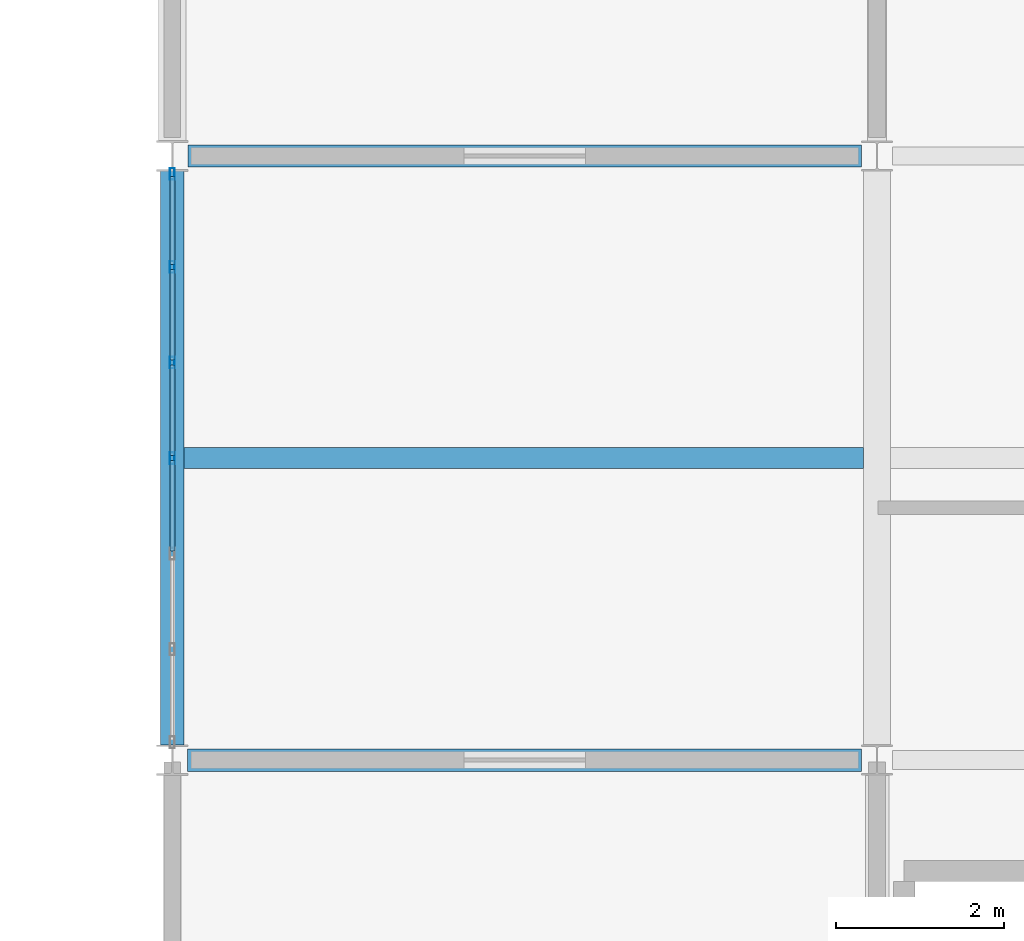
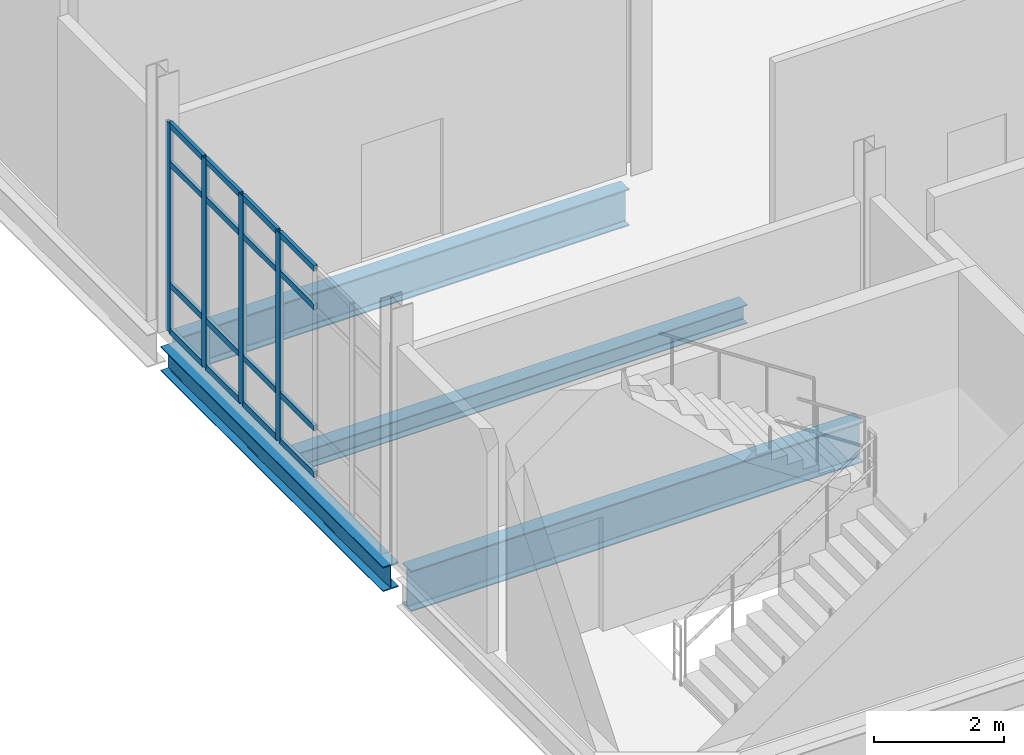
# One storey, part 75 of 153: 20 members, 4 beams, 1 element without a shape of its own.
"""IFC4 building model written with IfcOpenShell, lengths in metres."""

from ifc_helpers import new_model, si_unit, direction, frame, origin, origin_2d, place, context, subcontext, project, spatial, hollow_rectangle, i_section, extrude, material, layer, layer_set, material_profile, profile_set, type_object, element, aggregate, save


model = new_model("IFC4")

# Units and contexts
model_context = context("Model", 3, precision=1e-05, world=origin(), true_north=direction((0.0, 1.0)))
body_context = subcontext(model_context, "Body", "Model", "MODEL_VIEW")
ifc_project = project(units=[si_unit("LENGTHUNIT", "METRE"), si_unit("AREAUNIT", "SQUARE_METRE"), si_unit("VOLUMEUNIT", "CUBIC_METRE"), si_unit("PLANEANGLEUNIT", "RADIAN"), si_unit("MASSUNIT", "GRAM", prefix="KILO")], contexts=[model_context])

# Site, building, storey
site_placement = place(None, origin())
site = spatial("IfcSite", under=ifc_project, at=site_placement, CompositionType="ELEMENT")
building_placement = place(site_placement, origin())
building = spatial("IfcBuilding", under=site, at=building_placement, Name="Calvrana Isthmian Art Gallery", CompositionType="ELEMENT")
storey_placement = place(building_placement, frame((0.0, 0.0, 10.199951171875)))
storey = spatial("IfcBuildingStorey", under=building, at=storey_placement, Name="L02", CompositionType="ELEMENT", Elevation=10.199951171875)

# Beams
ifc_material_1 = material(Name="Steel ASTM A992 Gr 50", Category="steel")
ifc_material_profile_1 = material_profile(ifc_material_1, i_section(OverallWidth=0.279052734375, OverallDepth=0.4619140625, WebThickness=0.0107421875, FlangeThickness=0.017333984375, FilletRadius=0.02001953125, at=origin_2d()), Name="W18X76")
ifc_profile_set_1 = profile_set([ifc_material_profile_1], Name="Steel ASTM A992 Gr 50")
beam_type_1 = type_object("IfcBeamType", Name="BM-G-W18X76", PredefinedType="BEAM", material=ifc_profile_set_1)
beam_1_placement = place(storey_placement, frame((104.39990234375, 84.177978515625, -0.495849609375), z_axis=(0.0, 1.0, 0.0), x_axis=(-1.0, 0.0, 0.0)))
element("IfcBeam", 1, at=beam_1_placement, inside=storey, type_object=beam_type_1, Name="Girder Y L02 14/L-M", PredefinedType="BEAM", context=body_context, shape_type="SweptSolid", body=[
    extrude(i_section(OverallWidth=0.279052734375, OverallDepth=0.4619140625, WebThickness=0.0107421875, FlangeThickness=0.017333984375, FilletRadius=0.02001953125, at=origin_2d()), origin(), (0.0, 0.0, 1.0), 6.840576171875),
])
ifc_material_profile_2 = material_profile(ifc_material_1, i_section(OverallWidth=0.257080078125, OverallDepth=0.693115234375, WebThickness=0.014404296875, FlangeThickness=0.023681640625, FilletRadius=0.02392578125, at=origin_2d()), Name="W27X114")
ifc_profile_set_2 = profile_set([ifc_material_profile_2], Name="Steel ASTM A992 Gr 50")
beam_type_2 = type_object("IfcBeamType", Name="BM-G-W27X114", PredefinedType="BEAM", material=ifc_profile_set_2)
beam_2_placement = place(storey_placement, frame((104.58544921875, 91.199951171875, -0.611572265625), z_axis=(1.0, 0.0, 0.0), x_axis=(0.0, 1.0, 0.0)))
element("IfcBeam", 2, at=beam_2_placement, inside=storey, type_object=beam_type_2, Name="Girder X L02 14-15/M", PredefinedType="BEAM", context=body_context, shape_type="SweptSolid", body=[
    extrude(i_section(OverallWidth=0.257080078125, OverallDepth=0.693115234375, WebThickness=0.014404296875, FlangeThickness=0.023681640625, FilletRadius=0.02392578125, at=origin_2d()), origin(), (0.0, 0.0, 1.0), 8.030517578125),
])
ifc_material_profile_3 = material_profile(ifc_material_1, i_section(OverallWidth=0.26708984375, OverallDepth=0.761962890625, WebThickness=0.014404296875, FlangeThickness=0.021484375, FilletRadius=0.02490234375, at=origin_2d()), Name="W30X116")
ifc_profile_set_3 = profile_set([ifc_material_profile_3], Name="Steel ASTM A992 Gr 50")
beam_type_3 = type_object("IfcBeamType", Name="BM-G-W30X116", PredefinedType="BEAM", material=ifc_profile_set_3)
beam_3_placement = place(storey_placement, frame((104.583984375, 84.0, -0.64599609375), z_axis=(1.0, 0.0, 0.0), x_axis=(0.0, 1.0, 0.0)))
element("IfcBeam", 3, at=beam_3_placement, inside=storey, type_object=beam_type_3, Name="Girder X L02 14-15/L", PredefinedType="BEAM", context=body_context, shape_type="SweptSolid", body=[
    extrude(i_section(OverallWidth=0.26708984375, OverallDepth=0.761962890625, WebThickness=0.014404296875, FlangeThickness=0.021484375, FilletRadius=0.02490234375, at=origin_2d()), origin(), (0.0, 0.0, 1.0), 8.029541015625),
])
ifc_material_profile_4 = material_profile(ifc_material_1, i_section(OverallWidth=0.25390625, OverallDepth=0.35302734375, WebThickness=0.009521484375, FlangeThickness=0.016357421875, FilletRadius=0.01806640625, at=origin_2d()), Name="W14X61")
ifc_profile_set_4 = profile_set([ifc_material_profile_4], Name="Steel ASTM A992 Gr 50")
beam_type_4 = type_object("IfcBeamType", Name="BM-J-W14X61", PredefinedType="JOIST", material=ifc_profile_set_4)
beam_4_placement = place(storey_placement, frame((104.53955078125, 87.60009765625, -0.44140625), z_axis=(1.0, 0.0, 0.0), x_axis=(0.0, 1.0, 0.0)))
element("IfcBeam", 4, at=beam_4_placement, inside=storey, type_object=beam_type_4, Name="Composite joist L02 bay 13-11", PredefinedType="JOIST", context=body_context, shape_type="SweptSolid", body=[
    extrude(i_section(OverallWidth=0.25390625, OverallDepth=0.35302734375, WebThickness=0.009521484375, FlangeThickness=0.016357421875, FilletRadius=0.01806640625, at=origin_2d()), origin(), (0.0, 0.0, 1.0), 8.097900390625),
])

# Curtain wall, members
ifc_material_2 = material(Name="Anodized bronze aluminium 6063-T6", Category="aluminium")
ifc_layer = layer(ifc_material_2, 0.179931640625, Name="Anodized bronze aluminium 6063-T6")
ifc_layer_set = layer_set([ifc_layer], Name="Anodized bronze aluminium 6063-T6")
curtain_wall_type = type_object("IfcCurtainWallType", Name="CW-STICK-068X39", PredefinedType="NOTDEFINED", material=ifc_layer_set)
curtain_wall_placement = place(storey_placement, origin())
curtain_wall = element("IfcCurtainWall", 5, at=curtain_wall_placement, inside=storey, type_object=curtain_wall_type, Name="Curtain wall CW-180", PredefinedType="NOTDEFINED")
ifc_material_profile_5 = material_profile(ifc_material_2, hollow_rectangle(XDim=0.06005859375, YDim=0.139892578125, WallThickness=0.00390625, at=origin_2d()), Name="CWM60X140")
ifc_profile_set_5 = profile_set([ifc_material_profile_5], Name="Anodized bronze aluminium 6063-T6")
member_type_1 = type_object("IfcMemberType", Name="CWM-CWM60X140", PredefinedType="MULLION", material=ifc_profile_set_5)
member_1_placement = place(storey_placement, frame((104.39990234375, 87.5986328125, 0.0), z_axis=(0.0, 0.0, 1.0), x_axis=(-1.0, 0.0, 0.0)))
member_1 = element("IfcMember", 6, at=member_1_placement, type_object=member_type_1, Name="CW-180 mullion 4", PredefinedType="MULLION", context=body_context, shape_type="SweptSolid", body=[
    extrude(hollow_rectangle(XDim=0.06005859375, YDim=0.139892578125, WallThickness=0.00390625, at=origin_2d()), origin(), (0.0, 0.0, 1.0), 3.927978515625),
])
member_2_placement = place(storey_placement, frame((104.39990234375, 88.73779296875, 0.0), z_axis=(0.0, 0.0, 1.0), x_axis=(-1.0, 0.0, 0.0)))
member_2 = element("IfcMember", 7, at=member_2_placement, type_object=member_type_1, Name="CW-180 mullion 5", PredefinedType="MULLION", context=body_context, shape_type="SweptSolid", body=[
    extrude(hollow_rectangle(XDim=0.06005859375, YDim=0.139892578125, WallThickness=0.00390625, at=origin_2d()), origin(), (0.0, 0.0, 1.0), 3.927978515625),
])
member_3_placement = place(storey_placement, frame((104.39990234375, 89.876953125, 0.0), z_axis=(0.0, 0.0, 1.0), x_axis=(-1.0, 0.0, 0.0)))
member_3 = element("IfcMember", 8, at=member_3_placement, type_object=member_type_1, Name="CW-180 mullion 6", PredefinedType="MULLION", context=body_context, shape_type="SweptSolid", body=[
    extrude(hollow_rectangle(XDim=0.06005859375, YDim=0.139892578125, WallThickness=0.00390625, at=origin_2d()), origin(), (0.0, 0.0, 1.0), 3.927978515625),
])
member_4_placement = place(storey_placement, frame((104.39990234375, 90.986083984375, 0.0), z_axis=(0.0, 0.0, 1.0), x_axis=(-1.0, 0.0, 0.0)))
member_4 = element("IfcMember", 9, at=member_4_placement, type_object=member_type_1, Name="CW-180 mullion 7", PredefinedType="MULLION", context=body_context, shape_type="SweptSolid", body=[
    extrude(hollow_rectangle(XDim=0.06005859375, YDim=0.139892578125, WallThickness=0.00390625, at=origin_2d()), origin(), (0.0, 0.0, 1.0), 3.927978515625),
])
ifc_material_profile_6 = material_profile(ifc_material_2, hollow_rectangle(XDim=0.06005859375, YDim=0.110107421875, WallThickness=0.00341796875, at=origin_2d()), Name="CWT60X110")
ifc_profile_set_6 = profile_set([ifc_material_profile_6], Name="Anodized bronze aluminium 6063-T6")
member_type_2 = type_object("IfcMemberType", Name="CWT-CWT60X110", PredefinedType="USERDEFINED", material=ifc_profile_set_6)
member_5_placement = place(storey_placement, frame((104.39990234375, 86.48974609375, 0.030029296875), z_axis=(0.0, 1.0, 0.0), x_axis=(-1.0, 0.0, 0.0)))
member_5 = element("IfcMember", 10, at=member_5_placement, type_object=member_type_2, Name="CW-180 transom 3.1", ObjectType="TRANSOM", PredefinedType="USERDEFINED", context=body_context, shape_type="SweptSolid", body=[
    extrude(hollow_rectangle(XDim=0.06005859375, YDim=0.110107421875, WallThickness=0.00341796875, at=origin_2d()), origin(), (0.0, 0.0, 1.0), 1.0791015625),
])
member_6_placement = place(storey_placement, frame((104.39990234375, 86.48974609375, 0.900146484375), z_axis=(0.0, 1.0, 0.0), x_axis=(-1.0, 0.0, 0.0)))
member_6 = element("IfcMember", 11, at=member_6_placement, type_object=member_type_2, Name="CW-180 transom 3.2", ObjectType="TRANSOM", PredefinedType="USERDEFINED", context=body_context, shape_type="SweptSolid", body=[
    extrude(hollow_rectangle(XDim=0.06005859375, YDim=0.110107421875, WallThickness=0.00341796875, at=origin_2d()), origin(), (0.0, 0.0, 1.0), 1.0791015625),
])
member_7_placement = place(storey_placement, frame((104.39990234375, 86.48974609375, 3.177978515625), z_axis=(0.0, 1.0, 0.0), x_axis=(-1.0, 0.0, 0.0)))
member_7 = element("IfcMember", 12, at=member_7_placement, type_object=member_type_2, Name="CW-180 transom 3.3", ObjectType="TRANSOM", PredefinedType="USERDEFINED", context=body_context, shape_type="SweptSolid", body=[
    extrude(hollow_rectangle(XDim=0.06005859375, YDim=0.110107421875, WallThickness=0.00341796875, at=origin_2d()), origin(), (0.0, 0.0, 1.0), 1.0791015625),
])
member_8_placement = place(storey_placement, frame((104.39990234375, 86.48974609375, 3.89794921875), z_axis=(0.0, 1.0, 0.0), x_axis=(-1.0, 0.0, 0.0)))
member_8 = element("IfcMember", 13, at=member_8_placement, type_object=member_type_2, Name="CW-180 transom 3.4", ObjectType="TRANSOM", PredefinedType="USERDEFINED", context=body_context, shape_type="SweptSolid", body=[
    extrude(hollow_rectangle(XDim=0.06005859375, YDim=0.110107421875, WallThickness=0.00341796875, at=origin_2d()), origin(), (0.0, 0.0, 1.0), 1.0791015625),
])
member_9_placement = place(storey_placement, frame((104.39990234375, 87.628662109375, 0.030029296875), z_axis=(0.0, 1.0, 0.0), x_axis=(-1.0, 0.0, 0.0)))
member_9 = element("IfcMember", 14, at=member_9_placement, type_object=member_type_2, Name="CW-180 transom 4.1", ObjectType="TRANSOM", PredefinedType="USERDEFINED", context=body_context, shape_type="SweptSolid", body=[
    extrude(hollow_rectangle(XDim=0.06005859375, YDim=0.110107421875, WallThickness=0.00341796875, at=origin_2d()), origin(), (0.0, 0.0, 1.0), 1.0791015625),
])
member_10_placement = place(storey_placement, frame((104.39990234375, 87.628662109375, 0.900146484375), z_axis=(0.0, 1.0, 0.0), x_axis=(-1.0, 0.0, 0.0)))
member_10 = element("IfcMember", 15, at=member_10_placement, type_object=member_type_2, Name="CW-180 transom 4.2", ObjectType="TRANSOM", PredefinedType="USERDEFINED", context=body_context, shape_type="SweptSolid", body=[
    extrude(hollow_rectangle(XDim=0.06005859375, YDim=0.110107421875, WallThickness=0.00341796875, at=origin_2d()), origin(), (0.0, 0.0, 1.0), 1.0791015625),
])
member_11_placement = place(storey_placement, frame((104.39990234375, 87.628662109375, 3.177978515625), z_axis=(0.0, 1.0, 0.0), x_axis=(-1.0, 0.0, 0.0)))
member_11 = element("IfcMember", 16, at=member_11_placement, type_object=member_type_2, Name="CW-180 transom 4.3", ObjectType="TRANSOM", PredefinedType="USERDEFINED", context=body_context, shape_type="SweptSolid", body=[
    extrude(hollow_rectangle(XDim=0.06005859375, YDim=0.110107421875, WallThickness=0.00341796875, at=origin_2d()), origin(), (0.0, 0.0, 1.0), 1.0791015625),
])
member_12_placement = place(storey_placement, frame((104.39990234375, 87.628662109375, 3.89794921875), z_axis=(0.0, 1.0, 0.0), x_axis=(-1.0, 0.0, 0.0)))
member_12 = element("IfcMember", 17, at=member_12_placement, type_object=member_type_2, Name="CW-180 transom 4.4", ObjectType="TRANSOM", PredefinedType="USERDEFINED", context=body_context, shape_type="SweptSolid", body=[
    extrude(hollow_rectangle(XDim=0.06005859375, YDim=0.110107421875, WallThickness=0.00341796875, at=origin_2d()), origin(), (0.0, 0.0, 1.0), 1.0791015625),
])
member_13_placement = place(storey_placement, frame((104.39990234375, 88.767822265625, 0.030029296875), z_axis=(0.0, 1.0, 0.0), x_axis=(-1.0, 0.0, 0.0)))
member_13 = element("IfcMember", 18, at=member_13_placement, type_object=member_type_2, Name="CW-180 transom 5.1", ObjectType="TRANSOM", PredefinedType="USERDEFINED", context=body_context, shape_type="SweptSolid", body=[
    extrude(hollow_rectangle(XDim=0.06005859375, YDim=0.110107421875, WallThickness=0.00341796875, at=origin_2d()), origin(), (0.0, 0.0, 1.0), 1.0791015625),
])
member_14_placement = place(storey_placement, frame((104.39990234375, 88.767822265625, 0.900146484375), z_axis=(0.0, 1.0, 0.0), x_axis=(-1.0, 0.0, 0.0)))
member_14 = element("IfcMember", 19, at=member_14_placement, type_object=member_type_2, Name="CW-180 transom 5.2", ObjectType="TRANSOM", PredefinedType="USERDEFINED", context=body_context, shape_type="SweptSolid", body=[
    extrude(hollow_rectangle(XDim=0.06005859375, YDim=0.110107421875, WallThickness=0.00341796875, at=origin_2d()), origin(), (0.0, 0.0, 1.0), 1.0791015625),
])
member_15_placement = place(storey_placement, frame((104.39990234375, 88.767822265625, 3.177978515625), z_axis=(0.0, 1.0, 0.0), x_axis=(-1.0, 0.0, 0.0)))
member_15 = element("IfcMember", 20, at=member_15_placement, type_object=member_type_2, Name="CW-180 transom 5.3", ObjectType="TRANSOM", PredefinedType="USERDEFINED", context=body_context, shape_type="SweptSolid", body=[
    extrude(hollow_rectangle(XDim=0.06005859375, YDim=0.110107421875, WallThickness=0.00341796875, at=origin_2d()), origin(), (0.0, 0.0, 1.0), 1.0791015625),
])
member_16_placement = place(storey_placement, frame((104.39990234375, 88.767822265625, 3.89794921875), z_axis=(0.0, 1.0, 0.0), x_axis=(-1.0, 0.0, 0.0)))
member_16 = element("IfcMember", 21, at=member_16_placement, type_object=member_type_2, Name="CW-180 transom 5.4", ObjectType="TRANSOM", PredefinedType="USERDEFINED", context=body_context, shape_type="SweptSolid", body=[
    extrude(hollow_rectangle(XDim=0.06005859375, YDim=0.110107421875, WallThickness=0.00341796875, at=origin_2d()), origin(), (0.0, 0.0, 1.0), 1.0791015625),
])
member_17_placement = place(storey_placement, frame((104.39990234375, 89.906982421875, 0.030029296875), z_axis=(0.0, 1.0, 0.0), x_axis=(-1.0, 0.0, 0.0)))
member_17 = element("IfcMember", 22, at=member_17_placement, type_object=member_type_2, Name="CW-180 transom 6.1", ObjectType="TRANSOM", PredefinedType="USERDEFINED", context=body_context, shape_type="SweptSolid", body=[
    extrude(hollow_rectangle(XDim=0.06005859375, YDim=0.110107421875, WallThickness=0.00341796875, at=origin_2d()), origin(), (0.0, 0.0, 1.0), 1.049072265625),
])
member_18_placement = place(storey_placement, frame((104.39990234375, 89.906982421875, 0.900146484375), z_axis=(0.0, 1.0, 0.0), x_axis=(-1.0, 0.0, 0.0)))
member_18 = element("IfcMember", 23, at=member_18_placement, type_object=member_type_2, Name="CW-180 transom 6.2", ObjectType="TRANSOM", PredefinedType="USERDEFINED", context=body_context, shape_type="SweptSolid", body=[
    extrude(hollow_rectangle(XDim=0.06005859375, YDim=0.110107421875, WallThickness=0.00341796875, at=origin_2d()), origin(), (0.0, 0.0, 1.0), 1.049072265625),
])
member_19_placement = place(storey_placement, frame((104.39990234375, 89.906982421875, 3.177978515625), z_axis=(0.0, 1.0, 0.0), x_axis=(-1.0, 0.0, 0.0)))
member_19 = element("IfcMember", 24, at=member_19_placement, type_object=member_type_2, Name="CW-180 transom 6.3", ObjectType="TRANSOM", PredefinedType="USERDEFINED", context=body_context, shape_type="SweptSolid", body=[
    extrude(hollow_rectangle(XDim=0.06005859375, YDim=0.110107421875, WallThickness=0.00341796875, at=origin_2d()), origin(), (0.0, 0.0, 1.0), 1.049072265625),
])
member_20_placement = place(storey_placement, frame((104.39990234375, 89.906982421875, 3.89794921875), z_axis=(0.0, 1.0, 0.0), x_axis=(-1.0, 0.0, 0.0)))
member_20 = element("IfcMember", 25, at=member_20_placement, type_object=member_type_2, Name="CW-180 transom 6.4", ObjectType="TRANSOM", PredefinedType="USERDEFINED", context=body_context, shape_type="SweptSolid", body=[
    extrude(hollow_rectangle(XDim=0.06005859375, YDim=0.110107421875, WallThickness=0.00341796875, at=origin_2d()), origin(), (0.0, 0.0, 1.0), 1.049072265625),
])
aggregate(curtain_wall, [member_1, member_2, member_3, member_4, member_5, member_6, member_7, member_8, member_9, member_10, member_11, member_12, member_13, member_14, member_15, member_16, member_17, member_18, member_19, member_20])

save(model, "model.ifc")
